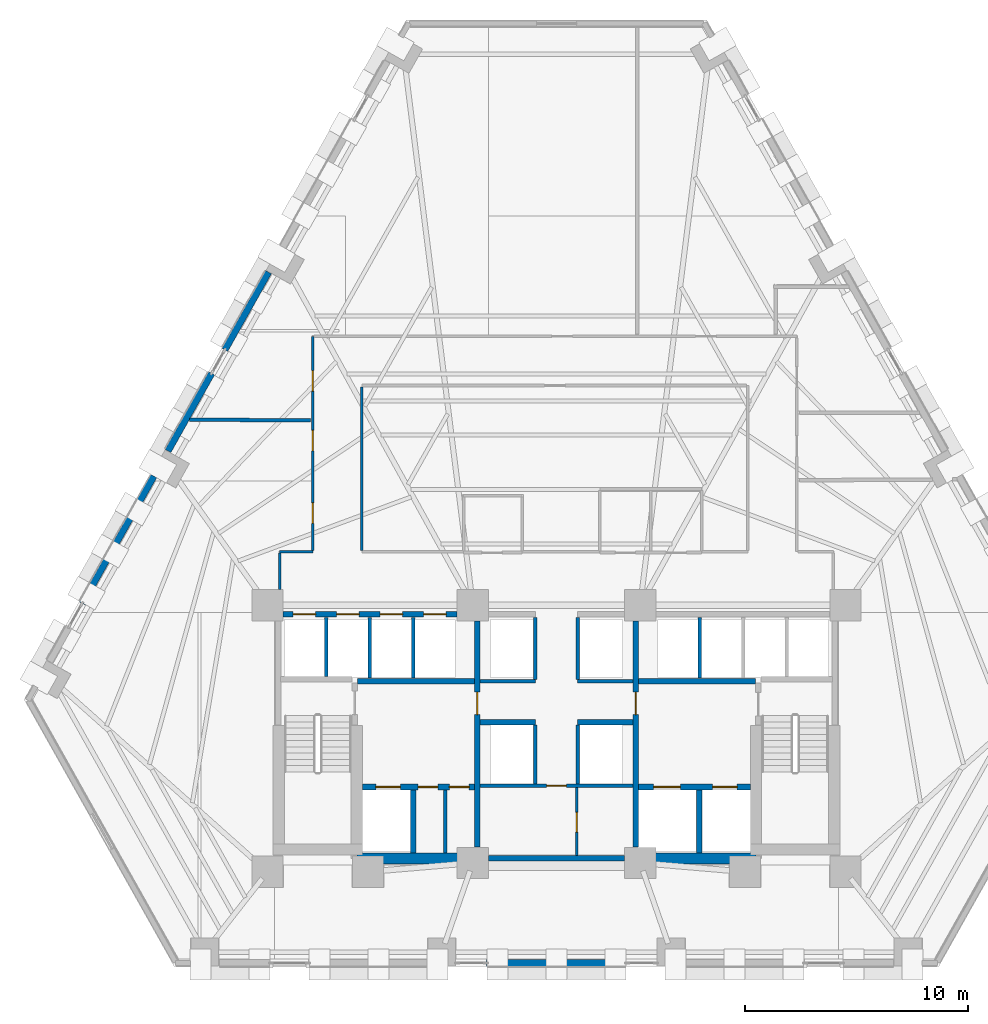
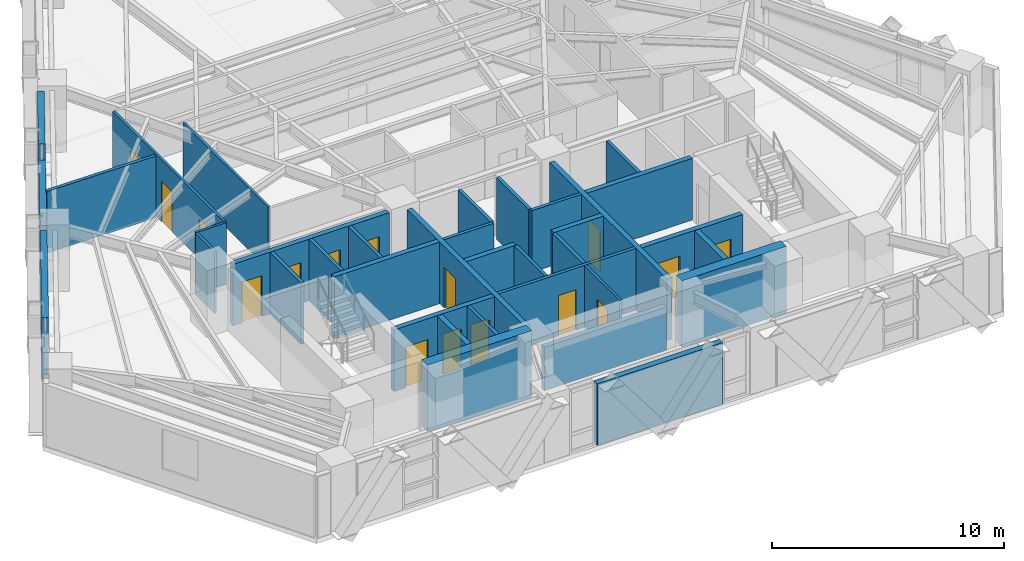
# One storey, part 7 of 13: 36 walls, 16 doors, 16 openings.
"""IFC4 building model written with IfcOpenShell, lengths in metres."""

from ifc_helpers import new_model, si_unit, direction, frame, frame_2d, origin, place, context, subcontext, project, spatial, rectangle, extrude, material, layer, layer_set, type_object, element, fill, save


model = new_model("IFC4")

# Units and contexts
model_context = context("Model", 3, precision=1e-05, world=origin(), true_north=direction((0.0, 1.0)))
body_context = subcontext(model_context, "Body", "Model", "MODEL_VIEW")
ifc_project = project(units=[si_unit("LENGTHUNIT", "METRE"), si_unit("AREAUNIT", "SQUARE_METRE"), si_unit("VOLUMEUNIT", "CUBIC_METRE"), si_unit("PLANEANGLEUNIT", "RADIAN"), si_unit("MASSUNIT", "GRAM", prefix="KILO")], contexts=[model_context])

# Site, building, storey
site_placement = place(None, origin())
site = spatial("IfcSite", under=ifc_project, at=site_placement, CompositionType="ELEMENT")
building_placement = place(site_placement, origin())
building = spatial("IfcBuilding", under=site, at=building_placement, Name="Quenlor Broadcast Tower", CompositionType="ELEMENT")
storey_placement = place(building_placement, frame((0.0, 0.0, 48.60009765625)))
storey = spatial("IfcBuildingStorey", under=building, at=storey_placement, Name="L12", CompositionType="ELEMENT", Elevation=48.60009765625)

# Walls
ifc_material_1 = material(Name="Concrete C65/80", Category="concrete")
ifc_layer_1 = layer(ifc_material_1, 0.5)
ifc_layer_set_1 = layer_set([ifc_layer_1], Name="Core Concrete C65/80 Shear Wall 500")
wall_type_1 = type_object("IfcWallType", Name="Core Concrete C65/80 Shear Wall 500", PredefinedType="SHEAR", material=ifc_layer_set_1)
for number, where, z_axis, x_axis, name in (
    (1, (-8.949951171875, -16.14990234375, 0.0), (0.0, 0.0, 1.0), (1.0, 0.0, 0.0), "L12 Core Shear Wall WS-W2"),
    (2, (3.75, -16.14990234375, 0.0), (0.0, 0.0, 1.0), (1.0, 0.0, 0.0), "L12 Core Shear Wall WS-E1"),
):
    element("IfcWall", number, at=place(storey_placement, frame(where, z_axis=z_axis, x_axis=x_axis)), inside=storey, type_object=wall_type_1, Name=name, PredefinedType="SHEAR", context=body_context, shape_type="SweptSolid", body=[
        extrude(rectangle(XDim=5.199951171875, YDim=0.5, at=frame_2d((2.60009765625, 0.0))), origin(), (0.0, 0.0, 1.0), 3.5),
    ])

# Wall, openings, doors
ifc_material_2 = material(Name="Concrete C40/50", Category="concrete")
ifc_layer_2 = layer(ifc_material_2, 0.25)
ifc_layer_set_2 = layer_set([ifc_layer_2], Name="Fire Rated Concrete C40/50 Core Wall 250")
wall_type_2 = type_object("IfcWallType", Name="Fire Rated Concrete C40/50 Core Wall 250", PredefinedType="PARTITIONING", material=ifc_layer_set_2)
wall_1_placement = place(storey_placement, frame((-8.697998046875, -12.949951171875, 0.0), z_axis=(0.0, 0.0, 1.0), x_axis=(1.0, 0.0, 0.0)))
wall_1 = element("IfcWall", 3, at=wall_1_placement, inside=storey, type_object=wall_type_2, Name="L12 Interior Wall CW-FFW-S", PredefinedType="PARTITIONING", context=body_context, shape_type="SweptSolid", body=[
    extrude(rectangle(XDim=5.01806640625, YDim=0.25, at=frame_2d((2.509033203125, 0.0))), origin(), (0.0, 0.0, 1.0), 3.25),
])
opening_1_placement = place(wall_1_placement, frame((0.597900390625, 0.0, 0.0)))
opening_1 = element("IfcOpeningElement", 4, at=opening_1_placement, cuts=wall_1, Name="Opening LD-FFL-1", PredefinedType="OPENING", context=body_context, shape_type="SweptSolid", body=[
    extrude(rectangle(XDim=1.10009765625, YDim=2.14990234375, at=frame_2d((0.550048828125, 1.074951171875))), frame((0.0, 0.135009765625, 0.0), z_axis=(0.0, -1.0, 0.0), x_axis=(1.0, 0.0, 0.0)), (0.0, 0.0, 1.0), 0.27001953125),
])
opening_2_placement = place(wall_1_placement, frame((2.498046875, 0.0, 0.0)))
opening_2 = element("IfcOpeningElement", 5, at=opening_2_placement, cuts=wall_1, Name="Opening TD-1", PredefinedType="OPENING", context=body_context, shape_type="SweptSolid", body=[
    extrude(rectangle(XDim=0.8798828125, YDim=2.10009765625, at=frame_2d((0.43994140625, 1.050048828125))), frame((0.0, 0.135009765625, 0.0), z_axis=(0.0, -1.0, 0.0), x_axis=(1.0, 0.0, 0.0)), (0.0, 0.0, 1.0), 0.27001953125),
])
opening_3_placement = place(wall_1_placement, frame((3.89794921875, 0.0, 0.0)))
opening_3 = element("IfcOpeningElement", 6, at=opening_3_placement, cuts=wall_1, Name="Opening TD-1", PredefinedType="OPENING", context=body_context, shape_type="SweptSolid", body=[
    extrude(rectangle(XDim=0.8798828125, YDim=2.10009765625, at=frame_2d((0.43994140625, 1.050048828125))), frame((0.0, 0.135009765625, 0.0), z_axis=(0.0, -1.0, 0.0), x_axis=(1.0, 0.0, 0.0)), (0.0, 0.0, 1.0), 0.27001953125),
])
ifc_material_3 = material(Name="Brushed Stainless Steel", Category="steel")
door_type_1 = type_object("IfcDoorType", Name="Emergency Lift Sliding Landing Door 1100x2150", OperationType="NOTDEFINED", PredefinedType="DOOR", material=ifc_material_3)
door_1_placement = place(opening_1_placement, origin())
door_1 = element("IfcDoor", 7, at=door_1_placement, inside=storey, type_object=door_type_1, Name="L12 Door LD-FFL-1", OperationType="SLIDING_TO_LEFT", OverallHeight=2.14990234375, OverallWidth=1.10009765625, PredefinedType="DOOR", context=body_context, shape_type="SweptSolid", body=[
    extrude(rectangle(XDim=1.10009765625, YDim=2.14990234375, at=frame_2d((0.550048828125, 1.074951171875))), frame((0.0, 0.02490234375, 0.0), z_axis=(0.0, -1.0, 0.0), x_axis=(1.0, 0.0, 0.0)), (0.0, 0.0, 1.0), 0.050048828125),
])
fill(opening_1, door_1)
ifc_material_4 = material(Name="Fire Rated Steel Access Panel", Category="steel")
door_type_2 = type_object("IfcDoorType", Name="Riser Shaft Rated Access Trapdoor 880x2100", OperationType="NOTDEFINED", PredefinedType="TRAPDOOR", material=ifc_material_4)
door_2_placement = place(opening_2_placement, origin())
door_2 = element("IfcDoor", 8, at=door_2_placement, inside=storey, type_object=door_type_2, Name="L12 Door DR-ELR", OperationType="SINGLE_SWING_LEFT", OverallHeight=2.10009765625, OverallWidth=0.8798828125, PredefinedType="TRAPDOOR", context=body_context, shape_type="SweptSolid", body=[
    extrude(rectangle(XDim=0.8798828125, YDim=2.10009765625, at=frame_2d((0.43994140625, 1.050048828125))), frame((0.0, 0.02490234375, 0.0), z_axis=(0.0, -1.0, 0.0), x_axis=(1.0, 0.0, 0.0)), (0.0, 0.0, 1.0), 0.050048828125),
])
fill(opening_2, door_2)
door_3_placement = place(opening_3_placement, origin())
door_3 = element("IfcDoor", 9, at=door_3_placement, inside=storey, type_object=door_type_2, Name="L12 Door DR-CMR", OperationType="SINGLE_SWING_RIGHT", OverallHeight=2.10009765625, OverallWidth=0.8798828125, PredefinedType="TRAPDOOR", context=body_context, shape_type="SweptSolid", body=[
    extrude(rectangle(XDim=0.8798828125, YDim=2.10009765625, at=frame_2d((0.43994140625, 1.050048828125))), frame((0.0, 0.02490234375, 0.0), z_axis=(0.0, -1.0, 0.0), x_axis=(1.0, 0.0, 0.0)), (0.0, 0.0, 1.0), 0.050048828125),
])
fill(opening_3, door_3)

wall_2_placement = place(storey_placement, frame((3.679931640625, -12.949951171875, 0.0), z_axis=(0.0, 0.0, 1.0), x_axis=(1.0, 0.0, 0.0)))
wall_2 = element("IfcWall", 10, at=wall_2_placement, inside=storey, type_object=wall_type_2, Name="L12 Interior Wall CW-FFE-S", PredefinedType="PARTITIONING", context=body_context, shape_type="SweptSolid", body=[
    extrude(rectangle(XDim=5.01806640625, YDim=0.25, at=frame_2d((2.509033203125, 0.0))), origin(), (0.0, 0.0, 1.0), 3.25),
])
opening_4_placement = place(wall_2_placement, frame((3.320068359375, 0.0, 0.0)))
opening_4 = element("IfcOpeningElement", 11, at=opening_4_placement, cuts=wall_2, Name="Opening LD-FFL-2", PredefinedType="OPENING", context=body_context, shape_type="SweptSolid", body=[
    extrude(rectangle(XDim=1.10009765625, YDim=2.14990234375, at=frame_2d((0.550048828125, 1.074951171875))), frame((0.0, 0.135009765625, 0.0), z_axis=(0.0, -1.0, 0.0), x_axis=(1.0, 0.0, 0.0)), (0.0, 0.0, 1.0), 0.27001953125),
])
opening_5_placement = place(wall_2_placement, frame((0.669921875, 0.0, 0.0)))
opening_5 = element("IfcOpeningElement", 12, at=opening_5_placement, cuts=wall_2, Name="Opening LD-SVL-1", PredefinedType="OPENING", context=body_context, shape_type="SweptSolid", body=[
    extrude(rectangle(XDim=1.199951171875, YDim=2.14990234375, at=frame_2d((0.60009765625, 1.074951171875))), frame((0.0, 0.135009765625, 0.0), z_axis=(0.0, -1.0, 0.0), x_axis=(1.0, 0.0, 0.0)), (0.0, 0.0, 1.0), 0.27001953125),
])
door_4_placement = place(opening_4_placement, origin())
door_4 = element("IfcDoor", 13, at=door_4_placement, inside=storey, type_object=door_type_1, Name="L12 Door LD-FFL-2", OperationType="SLIDING_TO_RIGHT", OverallHeight=2.14990234375, OverallWidth=1.10009765625, PredefinedType="DOOR", context=body_context, shape_type="SweptSolid", body=[
    extrude(rectangle(XDim=1.10009765625, YDim=2.14990234375, at=frame_2d((0.550048828125, 1.074951171875))), frame((0.0, 0.02490234375, 0.0), z_axis=(0.0, -1.0, 0.0), x_axis=(1.0, 0.0, 0.0)), (0.0, 0.0, 1.0), 0.050048828125),
])
fill(opening_4, door_4)
ifc_material_5 = material(Name="Brushed Stainless Steel", Category="steel")
door_type_3 = type_object("IfcDoorType", Name="Goods Lift Sliding Landing Door 1200x2150", OperationType="NOTDEFINED", PredefinedType="DOOR", material=ifc_material_5)
door_5_placement = place(opening_5_placement, origin())
door_5 = element("IfcDoor", 14, at=door_5_placement, inside=storey, type_object=door_type_3, Name="L12 Door LD-SVL-1", OperationType="SLIDING_TO_LEFT", OverallHeight=2.14990234375, OverallWidth=1.199951171875, PredefinedType="DOOR", context=body_context, shape_type="SweptSolid", body=[
    extrude(rectangle(XDim=1.199951171875, YDim=2.14990234375, at=frame_2d((0.60009765625, 1.074951171875))), frame((0.0, 0.02490234375, 0.0), z_axis=(0.0, -1.0, 0.0), x_axis=(1.0, 0.0, 0.0)), (0.0, 0.0, 1.0), 0.050048828125),
])
fill(opening_5, door_5)

# Walls
for number, where, z_axis, x_axis, name in (
    (15, (-6.419921875, -15.89794921875, 0.0), (0.0, 0.0, 1.0), (0.0, 1.0, 0.0), "L12 Interior Wall CW-FF1-E"),
    (16, (6.39990234375, -15.89794921875, 0.0), (0.0, 0.0, 1.0), (0.0, 1.0, 0.0), "L12 Interior Wall CW-SV1-E"),
):
    element("IfcWall", number, at=place(storey_placement, frame(where, z_axis=z_axis, x_axis=x_axis)), inside=storey, type_object=wall_type_2, Name=name, PredefinedType="PARTITIONING", context=body_context, shape_type="SweptSolid", body=[
        extrude(rectangle(XDim=2.807861328125, YDim=0.25, at=frame_2d((1.40380859375, 0.0))), origin(), (0.0, 0.0, 1.0), 3.25),
    ])
for number, where, z_axis, x_axis, name in (
    (17, (-8.919921875, -8.199951171875, 0.0), (0.0, 0.0, 1.0), (1.0, 0.0, 0.0), "L12 Interior Wall CW-FFW-N"),
    (18, (3.679931640625, -8.199951171875, 0.0), (0.0, 0.0, 1.0), (1.0, 0.0, 0.0), "L12 Interior Wall CW-FFE-N"),
):
    element("IfcWall", number, at=place(storey_placement, frame(where, z_axis=z_axis, x_axis=x_axis)), inside=storey, type_object=wall_type_2, Name=name, PredefinedType="PARTITIONING", context=body_context, shape_type="SweptSolid", body=[
        extrude(rectangle(XDim=5.239990234375, YDim=0.25, at=frame_2d((2.6201171875, 0.0))), origin(), (0.0, 0.0, 1.0), 3.25),
    ])

# Wall, opening, door
wall_3_placement = place(storey_placement, frame((-3.550048828125, -15.64794921875, 0.0), z_axis=(0.0, 0.0, 1.0), x_axis=(0.0, 1.0, 0.0)))
wall_3 = element("IfcWall", 19, at=wall_3_placement, inside=storey, type_object=wall_type_2, Name="L12 Interior Wall CW-FFW-E", PredefinedType="PARTITIONING", context=body_context, shape_type="SweptSolid", body=[
    extrude(rectangle(XDim=10.14599609375, YDim=0.25, at=frame_2d((5.072998046875, 0.0))), origin(), (0.0, 0.0, 1.0), 3.25),
])
opening_6_placement = place(wall_3_placement, frame((5.947998046875, 0.0, 0.0)))
opening_6 = element("IfcOpeningElement", 20, at=opening_6_placement, cuts=wall_3, Name="Opening FD-2", PredefinedType="OPENING", context=body_context, shape_type="SweptSolid", body=[
    extrude(rectangle(XDim=1.0, YDim=2.14990234375, at=frame_2d((0.5, 1.074951171875))), frame((0.0, 0.135009765625, 0.0), z_axis=(0.0, -1.0, 0.0), x_axis=(1.0, 0.0, 0.0)), (0.0, 0.0, 1.0), 0.27001953125),
])
ifc_material_6 = material(Name="Fire Rated Glazed Steel Door", Category="steel")
door_type_4 = type_object("IfcDoorType", Name="Firefighting Lobby Smoke Door 1000x2150", OperationType="NOTDEFINED", PredefinedType="DOOR", material=ifc_material_6)
door_6_placement = place(opening_6_placement, origin())
door_6 = element("IfcDoor", 21, at=door_6_placement, inside=storey, type_object=door_type_4, Name="L12 Door DR-FFLW", OperationType="SINGLE_SWING_RIGHT", OverallHeight=2.14990234375, OverallWidth=1.0, PredefinedType="DOOR", context=body_context, shape_type="SweptSolid", body=[
    extrude(rectangle(XDim=1.0, YDim=2.14990234375, at=frame_2d((0.5, 1.074951171875))), frame((0.0, 0.02490234375, 0.0), z_axis=(0.0, -1.0, 0.0), x_axis=(1.0, 0.0, 0.0)), (0.0, 0.0, 1.0), 0.050048828125),
])
fill(opening_6, door_6)

wall_4_placement = place(storey_placement, frame((3.550048828125, -15.64794921875, 0.0), z_axis=(0.0, 0.0, 1.0), x_axis=(0.0, 1.0, 0.0)))
wall_4 = element("IfcWall", 22, at=wall_4_placement, inside=storey, type_object=wall_type_2, Name="L12 Interior Wall CW-FFE-W", PredefinedType="PARTITIONING", context=body_context, shape_type="SweptSolid", body=[
    extrude(rectangle(XDim=10.14599609375, YDim=0.25, at=frame_2d((5.072998046875, 0.0))), origin(), (0.0, 0.0, 1.0), 3.25),
])
opening_7_placement = place(wall_4_placement, frame((5.947998046875, 0.0, 0.0)))
opening_7 = element("IfcOpeningElement", 23, at=opening_7_placement, cuts=wall_4, Name="Opening FD-2", PredefinedType="OPENING", context=body_context, shape_type="SweptSolid", body=[
    extrude(rectangle(XDim=1.0, YDim=2.14990234375, at=frame_2d((0.5, 1.074951171875))), frame((0.0, 0.135009765625, 0.0), z_axis=(0.0, -1.0, 0.0), x_axis=(1.0, 0.0, 0.0)), (0.0, 0.0, 1.0), 0.27001953125),
])
door_7_placement = place(opening_7_placement, origin())
door_7 = element("IfcDoor", 24, at=door_7_placement, inside=storey, type_object=door_type_4, Name="L12 Door DR-FFLE", OperationType="SINGLE_SWING_LEFT", OverallHeight=2.14990234375, OverallWidth=1.0, PredefinedType="DOOR", context=body_context, shape_type="SweptSolid", body=[
    extrude(rectangle(XDim=1.0, YDim=2.14990234375, at=frame_2d((0.5, 1.074951171875))), frame((0.0, 0.02490234375, 0.0), z_axis=(0.0, -1.0, 0.0), x_axis=(1.0, 0.0, 0.0)), (0.0, 0.0, 1.0), 0.050048828125),
])
fill(opening_7, door_7)

# Wall, openings, doors
wall_5_placement = place(storey_placement, frame((-12.248046875, -5.199951171875, 0.0), z_axis=(0.0, 0.0, 1.0), x_axis=(1.0, 0.0, 0.0)))
wall_5 = element("IfcWall", 25, at=wall_5_placement, inside=storey, type_object=wall_type_2, Name="L12 Interior Wall CW-N-W", PredefinedType="PARTITIONING", context=body_context, shape_type="SweptSolid", body=[
    extrude(rectangle(XDim=7.796142578125, YDim=0.25, at=frame_2d((3.89794921875, 0.0))), origin(), (0.0, 0.0, 1.0), 3.25),
])
opening_8_placement = place(wall_5_placement, frame((0.447998046875, 0.0, 0.0)))
opening_8 = element("IfcOpeningElement", 26, at=opening_8_placement, cuts=wall_5, Name="Opening LD-PL-L1", PredefinedType="OPENING", context=body_context, shape_type="SweptSolid", body=[
    extrude(rectangle(XDim=1.0, YDim=2.14990234375, at=frame_2d((0.5, 1.074951171875))), frame((0.0, 0.135009765625, 0.0), z_axis=(0.0, -1.0, 0.0), x_axis=(1.0, 0.0, 0.0)), (0.0, 0.0, 1.0), 0.27001953125),
])
opening_9_placement = place(wall_5_placement, frame((2.39794921875, 0.0, 0.0)))
opening_9 = element("IfcOpeningElement", 27, at=opening_9_placement, cuts=wall_5, Name="Opening LD-PL-L2", PredefinedType="OPENING", context=body_context, shape_type="SweptSolid", body=[
    extrude(rectangle(XDim=1.0, YDim=2.14990234375, at=frame_2d((0.5, 1.074951171875))), frame((0.0, 0.135009765625, 0.0), z_axis=(0.0, -1.0, 0.0), x_axis=(1.0, 0.0, 0.0)), (0.0, 0.0, 1.0), 0.27001953125),
])
opening_10_placement = place(wall_5_placement, frame((4.347900390625, 0.0, 0.0)))
opening_10 = element("IfcOpeningElement", 28, at=opening_10_placement, cuts=wall_5, Name="Opening LD-PL-L3", PredefinedType="OPENING", context=body_context, shape_type="SweptSolid", body=[
    extrude(rectangle(XDim=1.0, YDim=2.14990234375, at=frame_2d((0.5, 1.074951171875))), frame((0.0, 0.135009765625, 0.0), z_axis=(0.0, -1.0, 0.0), x_axis=(1.0, 0.0, 0.0)), (0.0, 0.0, 1.0), 0.27001953125),
])
opening_11_placement = place(wall_5_placement, frame((6.298095703125, 0.0, 0.0)))
opening_11 = element("IfcOpeningElement", 29, at=opening_11_placement, cuts=wall_5, Name="Opening LD-PL-L4", PredefinedType="OPENING", context=body_context, shape_type="SweptSolid", body=[
    extrude(rectangle(XDim=1.0, YDim=2.14990234375, at=frame_2d((0.5, 1.074951171875))), frame((0.0, 0.135009765625, 0.0), z_axis=(0.0, -1.0, 0.0), x_axis=(1.0, 0.0, 0.0)), (0.0, 0.0, 1.0), 0.27001953125),
])
ifc_material_7 = material(Name="Brushed Stainless Steel", Category="steel")
door_type_5 = type_object("IfcDoorType", Name="Passenger Lift Sliding Landing Door 1000x2150", OperationType="NOTDEFINED", PredefinedType="DOOR", material=ifc_material_7)
door_8_placement = place(opening_8_placement, origin())
door_8 = element("IfcDoor", 30, at=door_8_placement, inside=storey, type_object=door_type_5, Name="L12 Door LD-PL-L1", OperationType="SLIDING_TO_LEFT", OverallHeight=2.14990234375, OverallWidth=1.0, PredefinedType="DOOR", context=body_context, shape_type="SweptSolid", body=[
    extrude(rectangle(XDim=1.0, YDim=2.14990234375, at=frame_2d((0.5, 1.074951171875))), frame((0.0, 0.02490234375, 0.0), z_axis=(0.0, -1.0, 0.0), x_axis=(1.0, 0.0, 0.0)), (0.0, 0.0, 1.0), 0.050048828125),
])
fill(opening_8, door_8)
door_9_placement = place(opening_9_placement, origin())
door_9 = element("IfcDoor", 31, at=door_9_placement, inside=storey, type_object=door_type_5, Name="L12 Door LD-PL-L2", OperationType="SLIDING_TO_LEFT", OverallHeight=2.14990234375, OverallWidth=1.0, PredefinedType="DOOR", context=body_context, shape_type="SweptSolid", body=[
    extrude(rectangle(XDim=1.0, YDim=2.14990234375, at=frame_2d((0.5, 1.074951171875))), frame((0.0, 0.02490234375, 0.0), z_axis=(0.0, -1.0, 0.0), x_axis=(1.0, 0.0, 0.0)), (0.0, 0.0, 1.0), 0.050048828125),
])
fill(opening_9, door_9)
door_10_placement = place(opening_10_placement, origin())
door_10 = element("IfcDoor", 32, at=door_10_placement, inside=storey, type_object=door_type_5, Name="L12 Door LD-PL-L3", OperationType="SLIDING_TO_LEFT", OverallHeight=2.14990234375, OverallWidth=1.0, PredefinedType="DOOR", context=body_context, shape_type="SweptSolid", body=[
    extrude(rectangle(XDim=1.0, YDim=2.14990234375, at=frame_2d((0.5, 1.074951171875))), frame((0.0, 0.02490234375, 0.0), z_axis=(0.0, -1.0, 0.0), x_axis=(1.0, 0.0, 0.0)), (0.0, 0.0, 1.0), 0.050048828125),
])
fill(opening_10, door_10)
door_11_placement = place(opening_11_placement, origin())
door_11 = element("IfcDoor", 33, at=door_11_placement, inside=storey, type_object=door_type_5, Name="L12 Door LD-PL-L4", OperationType="SLIDING_TO_LEFT", OverallHeight=2.14990234375, OverallWidth=1.0, PredefinedType="DOOR", context=body_context, shape_type="SweptSolid", body=[
    extrude(rectangle(XDim=1.0, YDim=2.14990234375, at=frame_2d((0.5, 1.074951171875))), frame((0.0, 0.02490234375, 0.0), z_axis=(0.0, -1.0, 0.0), x_axis=(1.0, 0.0, 0.0)), (0.0, 0.0, 1.0), 0.050048828125),
])
fill(opening_11, door_11)

# Walls
wall_6_placement = place(storey_placement, frame((-3.048095703125, -16.14990234375, 0.0), z_axis=(0.0, 0.0, 1.0), x_axis=(1.0, 0.0, 0.0)))
element("IfcWall", 34, at=wall_6_placement, inside=storey, type_object=wall_type_2, Name="L12 Interior Wall CW-MS-S", PredefinedType="PARTITIONING", context=body_context, shape_type="SweptSolid", body=[
    extrude(rectangle(XDim=6.09619140625, YDim=0.25, at=frame_2d((3.048095703125, 0.0))), origin(), (0.0, 0.0, 1.0), 2.2998046875),
])
for number, where, z_axis, x_axis, name in (
    (35, (-3.419921875, -10.050048828125, 0.0), (0.0, 0.0, 1.0), (1.0, 0.0, 0.0), "L12 Interior Wall CW-MS-N1"),
    (36, (0.949951171875, -10.050048828125, 0.0), (0.0, 0.0, 1.0), (1.0, 0.0, 0.0), "L12 Interior Wall CW-MS-N2"),
):
    element("IfcWall", number, at=place(storey_placement, frame(where, z_axis=z_axis, x_axis=x_axis)), inside=storey, type_object=wall_type_2, Name=name, PredefinedType="PARTITIONING", context=body_context, shape_type="SweptSolid", body=[
        extrude(rectangle(XDim=2.469970703125, YDim=0.25, at=frame_2d((1.23486328125, 0.0))), origin(), (0.0, 0.0, 1.0), 3.25),
    ])
ifc_material_8 = material(Name="Gypsum Fireboard Partition", Category="other")
ifc_layer_3 = layer(ifc_material_8, 0.159912109375)
ifc_layer_set_3 = layer_set([ifc_layer_3], Name="Fire Rated Shaft and Corridor Partition 160")
wall_type_3 = type_object("IfcWallType", Name="Fire Rated Shaft and Corridor Partition 160", PredefinedType="PARTITIONING", material=ifc_layer_set_3)
wall_7_placement = place(storey_placement, frame((-4.97998046875, -15.89794921875, 0.0), z_axis=(0.0, 0.0, 1.0), x_axis=(0.0, 1.0, 0.0)))
element("IfcWall", 37, at=wall_7_placement, inside=storey, type_object=wall_type_3, Name="L12 Interior Wall CW-ELR-E", PredefinedType="PARTITIONING", context=body_context, shape_type="SweptSolid", body=[
    extrude(rectangle(XDim=2.807861328125, YDim=0.159912109375, at=frame_2d((1.40380859375, 0.0))), origin(), (0.0, 0.0, 1.0), 3.25),
])
wall_8_placement = place(storey_placement, frame((-10.324951171875, -7.992919921875, 0.0), z_axis=(0.0, 0.0, 1.0), x_axis=(0.0, 1.0, 0.0)))
element("IfcWall", 38, at=wall_8_placement, inside=storey, type_object=wall_type_3, Name="L12 Interior Wall CW-PLL-D1", PredefinedType="PARTITIONING", context=body_context, shape_type="SweptSolid", body=[
    extrude(rectangle(XDim=2.65283203125, YDim=0.159912109375, at=frame_2d((1.326416015625, 0.0))), origin(), (0.0, 0.0, 1.0), 3.25),
])
for number, where, z_axis, x_axis, name in (
    (39, (-8.375, -8.072998046875, 0.0), (0.0, 0.0, 1.0), (0.0, 1.0, 0.0), "L12 Interior Wall CW-PLL-D2"),
    (40, (-6.425048828125, -8.072998046875, 0.0), (0.0, 0.0, 1.0), (0.0, 1.0, 0.0), "L12 Interior Wall CW-PLL-D3"),
    (41, (6.425048828125, -8.072998046875, 0.0), (0.0, 0.0, 1.0), (0.0, 1.0, 0.0), "L12 Interior Wall CW-PLH-D1"),
):
    element("IfcWall", number, at=place(storey_placement, frame(where, z_axis=z_axis, x_axis=x_axis)), inside=storey, type_object=wall_type_3, Name=name, PredefinedType="PARTITIONING", context=body_context, shape_type="SweptSolid", body=[
        extrude(rectangle(XDim=2.73291015625, YDim=0.159912109375, at=frame_2d((1.366455078125, 0.0))), origin(), (0.0, 0.0, 1.0), 3.25),
    ])
for number, where, z_axis, x_axis, name in (
    (42, (-0.949951171875, -8.1201171875, 0.0), (0.0, 0.0, 1.0), (0.0, 1.0, 0.0), "L12 Interior Wall CW-CCRP-W"),
    (43, (0.949951171875, -8.1201171875, 0.0), (0.0, 0.0, 1.0), (0.0, 1.0, 0.0), "L12 Interior Wall CW-CCRP-E"),
):
    element("IfcWall", number, at=place(storey_placement, frame(where, z_axis=z_axis, x_axis=x_axis)), inside=storey, type_object=wall_type_3, Name=name, PredefinedType="PARTITIONING", context=body_context, shape_type="SweptSolid", body=[
        extrude(rectangle(XDim=2.780029296875, YDim=0.159912109375, at=frame_2d((1.39013671875, 0.0))), origin(), (0.0, 0.0, 1.0), 3.25),
    ])
for number, where, z_axis, x_axis, name in (
    (44, (-3.419921875, -8.199951171875, 0.0), (0.0, 0.0, 1.0), (1.0, 0.0, 0.0), "L12 Interior Wall CW-M-BACK1"),
    (45, (0.949951171875, -8.199951171875, 0.0), (0.0, 0.0, 1.0), (1.0, 0.0, 0.0), "L12 Interior Wall CW-M-BACK2"),
):
    element("IfcWall", number, at=place(storey_placement, frame(where, z_axis=z_axis, x_axis=x_axis)), inside=storey, type_object=wall_type_3, Name=name, PredefinedType="PARTITIONING", context=body_context, shape_type="SweptSolid", body=[
        extrude(rectangle(XDim=2.469970703125, YDim=0.159912109375, at=frame_2d((1.23486328125, 0.0))), origin(), (0.0, 0.0, 1.0), 3.25),
    ])

# Wall, opening, door
wall_9_placement = place(storey_placement, frame((-3.419921875, -12.89990234375, 0.0), z_axis=(0.0, 0.0, 1.0), x_axis=(1.0, 0.0, 0.0)))
wall_9 = element("IfcWall", 46, at=wall_9_placement, inside=storey, type_object=wall_type_3, Name="L12 Interior Wall CW-MS-B", PredefinedType="PARTITIONING", context=body_context, shape_type="SweptSolid", body=[
    extrude(rectangle(XDim=6.83984375, YDim=0.159912109375, at=frame_2d((3.419921875, 0.0))), origin(), (0.0, 0.0, 1.0), 3.25),
])
opening_12_placement = place(wall_9_placement, frame((2.97998046875, 0.0, 0.0)))
opening_12 = element("IfcOpeningElement", 47, at=opening_12_placement, cuts=wall_9, Name="Opening ID-4", PredefinedType="OPENING", context=body_context, shape_type="SweptSolid", body=[
    extrude(rectangle(XDim=0.8798828125, YDim=2.1201171875, at=frame_2d((0.43994140625, 1.06005859375))), frame((0.0, 0.08984375, 0.0), z_axis=(0.0, -1.0, 0.0), x_axis=(1.0, 0.0, 0.0)), (0.0, 0.0, 1.0), 0.179931640625),
])
ifc_material_9 = material(Name="Solid Core Timber Oak", Category="wood")
door_type_6 = type_object("IfcDoorType", Name="Service Closet Timber Door 880x2120", OperationType="NOTDEFINED", PredefinedType="DOOR", material=ifc_material_9)
door_12_placement = place(opening_12_placement, origin())
door_12 = element("IfcDoor", 48, at=door_12_placement, inside=storey, type_object=door_type_6, Name="L12 Door DR-CSV0", OperationType="SINGLE_SWING_LEFT", OverallHeight=2.1201171875, OverallWidth=0.8798828125, PredefinedType="DOOR", context=body_context, shape_type="SweptSolid", body=[
    extrude(rectangle(XDim=0.8798828125, YDim=2.1201171875, at=frame_2d((0.43994140625, 1.06005859375))), frame((0.0, 0.02490234375, 0.0), z_axis=(0.0, -1.0, 0.0), x_axis=(1.0, 0.0, 0.0)), (0.0, 0.0, 1.0), 0.050048828125),
])
fill(opening_12, door_12)

# Walls
for number, where, z_axis, x_axis, name in (
    (49, (-0.949951171875, -12.818115234375, 0.0), (0.0, 0.0, 1.0), (0.0, 1.0, 0.0), "L12 Interior Wall CW-MS-W"),
    (50, (0.949951171875, -12.818115234375, 0.0), (0.0, 0.0, 1.0), (0.0, 1.0, 0.0), "L12 Interior Wall CW-MS-E"),
):
    element("IfcWall", number, at=place(storey_placement, frame(where, z_axis=z_axis, x_axis=x_axis)), inside=storey, type_object=wall_type_3, Name=name, PredefinedType="PARTITIONING", context=body_context, shape_type="SweptSolid", body=[
        extrude(rectangle(XDim=2.63818359375, YDim=0.159912109375, at=frame_2d((1.319091796875, 0.0))), origin(), (0.0, 0.0, 1.0), 3.25),
    ])
wall_10_placement = place(storey_placement, frame((-11.034912109375, 3.481201171875, 0.0), z_axis=(0.0, 0.0, 1.0), x_axis=(-0.999974946462, 0.007078590856, 0.0)))
element("IfcWall", 51, at=wall_10_placement, inside=storey, type_object=wall_type_3, Name="L12 Interior Wall PW-DV-04", PredefinedType="PARTITIONING", context=body_context, shape_type="SweptSolid", body=[
    extrude(rectangle(XDim=5.4150390625, YDim=0.159912109375, at=frame_2d((2.70751953125, 0.0))), origin(), (0.0, 0.0, 1.0), 3.25),
])

# Wall, opening, door
ifc_material_10 = material(Name="Gypsum Plasterboard Partition", Category="other")
ifc_layer_4 = layer(ifc_material_10, 0.1201171875)
ifc_layer_set_4 = layer_set([ifc_layer_4], Name="Standard Office Partition 120")
wall_type_4 = type_object("IfcWallType", Name="Standard Office Partition 120", PredefinedType="PARTITIONING", material=ifc_layer_set_4)
wall_11_placement = place(storey_placement, frame((0.909912109375, -16.02001953125, 0.0), z_axis=(0.0, 0.0, 1.0), x_axis=(0.0, 1.0, 0.0)))
wall_11 = element("IfcWall", 52, at=wall_11_placement, inside=storey, type_object=wall_type_4, Name="L12 Interior Wall CW-CSV-E2", PredefinedType="PARTITIONING", context=body_context, shape_type="SweptSolid", body=[
    extrude(rectangle(XDim=3.0380859375, YDim=0.1201171875, at=frame_2d((1.51904296875, 0.0))), origin(), (0.0, 0.0, 1.0), 3.25),
])
opening_13_placement = place(wall_11_placement, frame((1.050048828125, 0.0, 0.0)))
opening_13 = element("IfcOpeningElement", 53, at=opening_13_placement, cuts=wall_11, Name="Opening ID-4", PredefinedType="OPENING", context=body_context, shape_type="SweptSolid", body=[
    extrude(rectangle(XDim=0.8798828125, YDim=2.1201171875, at=frame_2d((0.43994140625, 1.06005859375))), frame((0.0, 0.070068359375, 0.0), z_axis=(0.0, -1.0, 0.0), x_axis=(1.0, 0.0, 0.0)), (0.0, 0.0, 1.0), 0.14013671875),
])
door_13_placement = place(opening_13_placement, origin())
door_13 = element("IfcDoor", 54, at=door_13_placement, inside=storey, type_object=door_type_6, Name="L12 Door DR-CSV2", OperationType="SINGLE_SWING_RIGHT", OverallHeight=2.1201171875, OverallWidth=0.8798828125, PredefinedType="DOOR", context=body_context, shape_type="SweptSolid", body=[
    extrude(rectangle(XDim=0.8798828125, YDim=2.1201171875, at=frame_2d((0.43994140625, 1.06005859375))), frame((0.0, 0.02490234375, 0.0), z_axis=(0.0, -1.0, 0.0), x_axis=(1.0, 0.0, 0.0)), (0.0, 0.0, 1.0), 0.050048828125),
])
fill(opening_13, door_13)

# Wall
wall_12_placement = place(storey_placement, frame((-12.409912109375, -2.39990234375, 0.0), z_axis=(0.0, 0.0, 1.0), x_axis=(1.0, 0.0, 0.0)))
element("IfcWall", 55, at=wall_12_placement, inside=storey, type_object=wall_type_4, Name="L12 Interior Wall PW-CR-01", PredefinedType="PARTITIONING", context=body_context, shape_type="SweptSolid", body=[
    extrude(rectangle(XDim=1.48486328125, YDim=0.1201171875, at=frame_2d((0.742431640625, 0.0))), origin(), (0.0, 0.0, 1.0), 3.25),
])

# Wall, openings, doors
wall_13_placement = place(storey_placement, frame((-10.925048828125, -2.337890625, 0.0), z_axis=(0.0, 0.0, 1.0), x_axis=(0.0, 1.0, 0.0)))
wall_13 = element("IfcWall", 56, at=wall_13_placement, inside=storey, type_object=wall_type_4, Name="L12 Interior Wall PW-CR-02", PredefinedType="PARTITIONING", context=body_context, shape_type="SweptSolid", body=[
    extrude(rectangle(XDim=9.587890625, YDim=0.1201171875, at=frame_2d((4.7939453125, 0.0))), origin(), (0.0, 0.0, 1.0), 3.25),
])
opening_14_placement = place(wall_13_placement, frame((7.134033203125, 0.0, 0.0)))
opening_14 = element("IfcOpeningElement", 57, at=opening_14_placement, cuts=wall_13, Name="Opening ID-1", PredefinedType="OPENING", context=body_context, shape_type="SweptSolid", body=[
    extrude(rectangle(XDim=0.919921875, YDim=2.1201171875, at=frame_2d((0.4599609375, 1.06005859375))), frame((0.0, 0.070068359375, 0.0), z_axis=(0.0, -1.0, 0.0), x_axis=(1.0, 0.0, 0.0)), (0.0, 0.0, 1.0), 0.14013671875),
])
opening_15_placement = place(wall_13_placement, frame((4.452880859375, 0.0, 0.0)))
opening_15 = element("IfcOpeningElement", 58, at=opening_15_placement, cuts=wall_13, Name="Opening ID-1", PredefinedType="OPENING", context=body_context, shape_type="SweptSolid", body=[
    extrude(rectangle(XDim=0.919921875, YDim=2.1201171875, at=frame_2d((0.4599609375, 1.06005859375))), frame((0.0, 0.070068359375, 0.0), z_axis=(0.0, -1.0, 0.0), x_axis=(1.0, 0.0, 0.0)), (0.0, 0.0, 1.0), 0.14013671875),
])
opening_16_placement = place(wall_13_placement, frame((1.20703125, 0.0, 0.0)))
opening_16 = element("IfcOpeningElement", 59, at=opening_16_placement, cuts=wall_13, Name="Opening ID-1", PredefinedType="OPENING", context=body_context, shape_type="SweptSolid", body=[
    extrude(rectangle(XDim=0.919921875, YDim=2.1201171875, at=frame_2d((0.4599609375, 1.06005859375))), frame((0.0, 0.070068359375, 0.0), z_axis=(0.0, -1.0, 0.0), x_axis=(1.0, 0.0, 0.0)), (0.0, 0.0, 1.0), 0.14013671875),
])
ifc_material_11 = material(Name="Solid Core Timber Oak", Category="wood")
door_type_7 = type_object("IfcDoorType", Name="Single Leaf Timber Office Door 920x2120", OperationType="NOTDEFINED", PredefinedType="DOOR", material=ifc_material_11)
door_14_placement = place(opening_14_placement, origin())
door_14 = element("IfcDoor", 60, at=door_14_placement, inside=storey, type_object=door_type_7, Name="L12 Door DR-RM03", OperationType="SINGLE_SWING_RIGHT", OverallHeight=2.1201171875, OverallWidth=0.919921875, PredefinedType="DOOR", context=body_context, shape_type="SweptSolid", body=[
    extrude(rectangle(XDim=0.919921875, YDim=2.1201171875, at=frame_2d((0.4599609375, 1.06005859375))), frame((0.0, 0.02490234375, 0.0), z_axis=(0.0, -1.0, 0.0), x_axis=(1.0, 0.0, 0.0)), (0.0, 0.0, 1.0), 0.050048828125),
])
fill(opening_14, door_14)
door_15_placement = place(opening_15_placement, origin())
door_15 = element("IfcDoor", 61, at=door_15_placement, inside=storey, type_object=door_type_7, Name="L12 Door DR-RM05", OperationType="SINGLE_SWING_RIGHT", OverallHeight=2.1201171875, OverallWidth=0.919921875, PredefinedType="DOOR", context=body_context, shape_type="SweptSolid", body=[
    extrude(rectangle(XDim=0.919921875, YDim=2.1201171875, at=frame_2d((0.4599609375, 1.06005859375))), frame((0.0, 0.02490234375, 0.0), z_axis=(0.0, -1.0, 0.0), x_axis=(1.0, 0.0, 0.0)), (0.0, 0.0, 1.0), 0.050048828125),
])
fill(opening_15, door_15)
door_16_placement = place(opening_16_placement, origin())
door_16 = element("IfcDoor", 62, at=door_16_placement, inside=storey, type_object=door_type_7, Name="L12 Door DR-RM08", OperationType="SINGLE_SWING_LEFT", OverallHeight=2.1201171875, OverallWidth=0.919921875, PredefinedType="DOOR", context=body_context, shape_type="SweptSolid", body=[
    extrude(rectangle(XDim=0.919921875, YDim=2.1201171875, at=frame_2d((0.4599609375, 1.06005859375))), frame((0.0, 0.02490234375, 0.0), z_axis=(0.0, -1.0, 0.0), x_axis=(1.0, 0.0, 0.0)), (0.0, 0.0, 1.0), 0.050048828125),
])
fill(opening_16, door_16)

# Walls
wall_14_placement = place(storey_placement, frame((-12.409912109375, -4.097900390625, 0.0), z_axis=(0.0, 0.0, 1.0), x_axis=(0.0, 1.0, 0.0)))
element("IfcWall", 63, at=wall_14_placement, inside=storey, type_object=wall_type_4, Name="L12 Interior Wall PW-CR-07", PredefinedType="PARTITIONING", context=body_context, shape_type="SweptSolid", body=[
    extrude(rectangle(XDim=1.635986328125, YDim=0.1201171875, at=frame_2d((0.81787109375, 0.0))), origin(), (0.0, 0.0, 1.0), 3.25),
])
wall_15_placement = place(storey_placement, frame((-8.72509765625, 4.988037109375, 0.0), z_axis=(0.0, 0.0, 1.0), x_axis=(0.0, -1.0, 0.0)))
element("IfcWall", 64, at=wall_15_placement, inside=storey, type_object=wall_type_4, Name="L12 Interior Wall PW-CR-11", PredefinedType="PARTITIONING", context=body_context, shape_type="SweptSolid", body=[
    extrude(rectangle(XDim=7.325927734375, YDim=0.1201171875, at=frame_2d((3.6630859375, 0.0))), origin(), (0.0, 0.0, 1.0), 3.25),
])
ifc_material_12 = material(Name="Precast concrete C40/50", Category="concrete")
ifc_layer_5 = layer(ifc_material_12, 0.300048828125)
ifc_layer_set_5 = layer_set([ifc_layer_5], Name="Terracotta Precast Concrete C40/50 Spandrel Wall 300")
wall_type_5 = type_object("IfcWallType", Name="Terracotta Precast Concrete C40/50 Spandrel Wall 300", PredefinedType="STANDARD", material=ifc_layer_set_5)
wall_16_placement = place(storey_placement, frame((3.126220703125, -20.840087890625, 0.0), z_axis=(0.0, 0.0, 1.0), x_axis=(-1.0, 0.0, 0.0)))
element("IfcWall", 65, at=wall_16_placement, inside=storey, type_object=wall_type_5, Name="L12 Exterior Wall L12-S-SP1", PredefinedType="STANDARD", context=body_context, shape_type="SweptSolid", body=[
    extrude(rectangle(XDim=6.25244140625, YDim=0.300048828125, at=frame_2d((3.126220703125, 0.0))), origin(), (0.0, 0.0, 1.0), 3.25),
])
wall_17_placement = place(storey_placement, frame((-21.257568359375, -4.7177734375, 0.0), z_axis=(0.0, 0.0, 1.0), x_axis=(0.490245297262, 0.871584504516, 0.0)))
element("IfcWall", 66, at=wall_17_placement, inside=storey, type_object=wall_type_5, Name="L12 Exterior Wall L12-NWA-SP2", PredefinedType="STANDARD", context=body_context, shape_type="SweptSolid", body=[
    extrude(rectangle(XDim=6.543701171875, YDim=0.300048828125, at=frame_2d((3.27197265625, 0.0))), origin(), (0.0, 0.0, 1.0), 3.25),
])
for number, where, z_axis, x_axis, name in (
    (67, (-17.414794921875, 2.1142578125, 0.0), (0.0, 0.0, 1.0), (0.49028736482, 0.871560841191, 0.0), "L12 Exterior Wall L12-NW-SP1"),
    (68, (-14.864013671875, 6.648681640625, 0.0), (0.0, 0.0, 1.0), (0.49028736482, 0.871560841191, 0.0), "L12 Exterior Wall L12-NW-SP2"),
):
    element("IfcWall", number, at=place(storey_placement, frame(where, z_axis=z_axis, x_axis=x_axis)), inside=storey, type_object=wall_type_5, Name=name, PredefinedType="STANDARD", context=body_context, shape_type="SweptSolid", body=[
        extrude(rectangle(XDim=3.9931640625, YDim=0.300048828125, at=frame_2d((1.99658203125, 0.0))), origin(), (0.0, 0.0, 1.0), 3.25),
    ])

save(model, "model.ifc")
